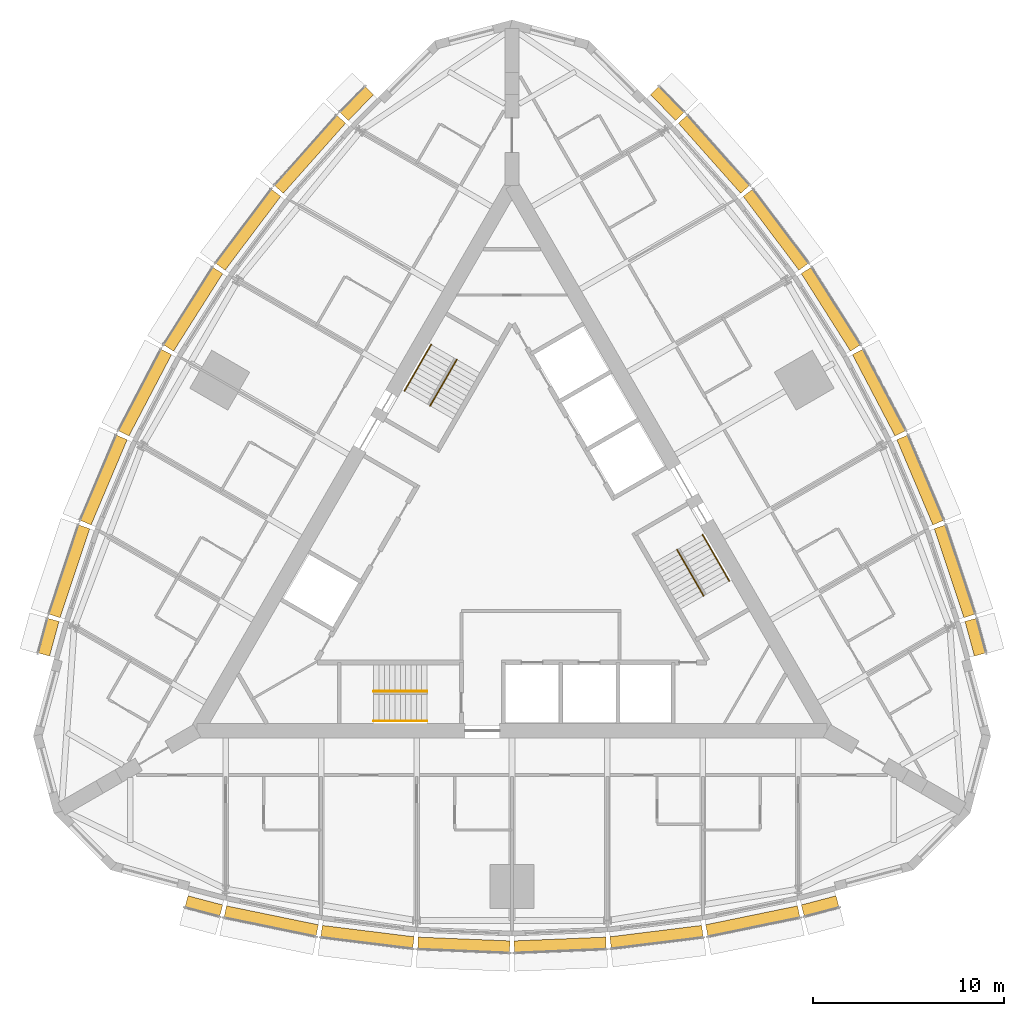
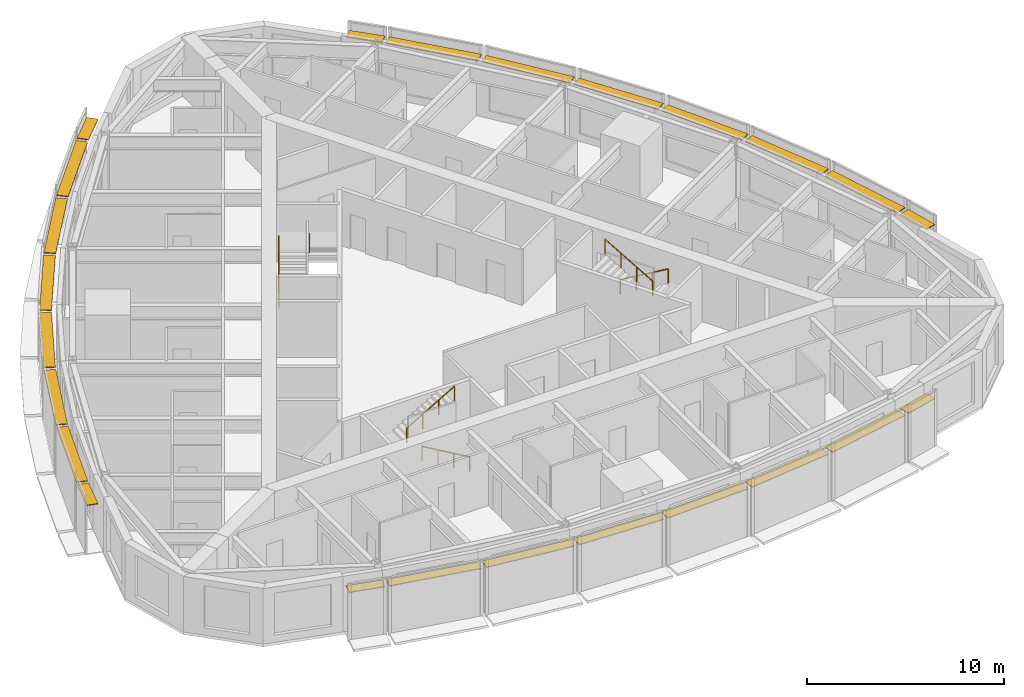
# One storey, part 15 of 15: 24 shading devices, 6 railings.
"""IFC4 building model written with IfcOpenShell, lengths in metres."""

from ifc_helpers import new_model, si_unit, direction, frame, origin, origin_2d, place, context, subcontext, project, spatial, rectangle, circle, extrude, material, type_object, element, save


model = new_model("IFC4")

# Units and contexts
model_context = context("Model", 3, precision=1e-05, world=origin(), true_north=direction((0.0, 1.0)))
body_context = subcontext(model_context, "Body", "Model", "MODEL_VIEW")
ifc_project = project(units=[si_unit("LENGTHUNIT", "METRE"), si_unit("AREAUNIT", "SQUARE_METRE"), si_unit("VOLUMEUNIT", "CUBIC_METRE"), si_unit("PLANEANGLEUNIT", "RADIAN"), si_unit("MASSUNIT", "GRAM", prefix="KILO")], contexts=[model_context])

# Site, building, storey
site_placement = place(None, origin())
site = spatial("IfcSite", under=ifc_project, at=site_placement, CompositionType="ELEMENT")
building_placement = place(site_placement, origin())
building = spatial("IfcBuilding", under=site, at=building_placement, Name="Trikona Tower", CompositionType="ELEMENT")
storey_placement = place(building_placement, frame((0.0, 0.0, 211.699951171875)))
storey = spatial("IfcBuildingStorey", under=building, at=storey_placement, Name="L56", CompositionType="ELEMENT", Elevation=211.699951171875)

# Shading devices
ifc_material_1 = material(Name="Aluminium louvre blade, pale anodised", Category="aluminium")
shading_device_type = type_object("IfcShadingDeviceType", Name="Cavity louvre 600", PredefinedType="USERDEFINED", material=ifc_material_1)
shading_device_1_placement = place(storey_placement, frame((-16.14404296875, -18.707763671875, 2.97509765625), z_axis=(0.0, 0.0, 1.0), x_axis=(0.966993038714, -0.254802792527, 0.0)))
element("IfcShadingDevice", 1, at=shading_device_1_placement, inside=storey, type_object=shading_device_type, Name="Cavity louvre L56-00", ObjectType="LOUVRE", PredefinedType="USERDEFINED", context=body_context, shape_type="SweptSolid", body=[
    extrude(rectangle(XDim=1.87841796875, YDim=0.60009765625, at=origin_2d()), origin(), (0.0, 0.0, 1.0), 0.050048828125),
])
shading_device_2_placement = place(storey_placement, frame((-12.614013671875, -19.492919921875, 2.97509765625), z_axis=(0.0, 0.0, 1.0), x_axis=(0.979457514864, -0.201650629992, 0.0)))
element("IfcShadingDevice", 2, at=shading_device_2_placement, inside=storey, type_object=shading_device_type, Name="Cavity louvre L56-01", ObjectType="LOUVRE", PredefinedType="USERDEFINED", context=body_context, shape_type="SweptSolid", body=[
    extrude(rectangle(XDim=4.914794921875, YDim=0.60009765625, at=origin_2d()), origin(), (0.0, 0.0, 1.0), 0.050048828125),
])
shading_device_3_placement = place(storey_placement, frame((-7.5693359375, -20.323974609375, 2.97509765625), z_axis=(0.0, 0.0, 1.0), x_axis=(0.992455266199, -0.122607277901, 0.0)))
element("IfcShadingDevice", 3, at=shading_device_3_placement, inside=storey, type_object=shading_device_type, Name="Cavity louvre L56-02", ObjectType="LOUVRE", PredefinedType="USERDEFINED", context=body_context, shape_type="SweptSolid", body=[
    extrude(rectangle(XDim=4.847900390625, YDim=0.60009765625, at=origin_2d()), origin(), (0.0, 0.0, 1.0), 0.050048828125),
])
for number, where, z_axis, x_axis, name in (
    (4, (-2.523193359375, -20.739501953125, 2.97509765625), (0.0, 0.0, 1.0), (0.999153186307, -0.041144991109, 0.0), "Cavity louvre L56-03"),
    (5, (2.523193359375, -20.739501953125, 2.97509765625), (0.0, 0.0, 1.0), (0.999153186307, 0.041144991109, 0.0), "Cavity louvre L56-04"),
):
    element("IfcShadingDevice", number, at=place(storey_placement, frame(where, z_axis=z_axis, x_axis=x_axis)), inside=storey, type_object=shading_device_type, Name=name, ObjectType="LOUVRE", PredefinedType="USERDEFINED", context=body_context, shape_type="SweptSolid", body=[
        extrude(rectangle(XDim=4.814208984375, YDim=0.60009765625, at=origin_2d()), origin(), (0.0, 0.0, 1.0), 0.050048828125),
    ])
shading_device_4_placement = place(storey_placement, frame((7.5693359375, -20.323974609375, 2.97509765625), z_axis=(0.0, 0.0, 1.0), x_axis=(0.992455266199, 0.122607277901, 0.0)))
element("IfcShadingDevice", 6, at=shading_device_4_placement, inside=storey, type_object=shading_device_type, Name="Cavity louvre L56-05", ObjectType="LOUVRE", PredefinedType="USERDEFINED", context=body_context, shape_type="SweptSolid", body=[
    extrude(rectangle(XDim=4.847900390625, YDim=0.60009765625, at=origin_2d()), origin(), (0.0, 0.0, 1.0), 0.050048828125),
])
shading_device_5_placement = place(storey_placement, frame((12.614013671875, -19.492919921875, 2.97509765625), z_axis=(0.0, 0.0, 1.0), x_axis=(0.979457514864, 0.201650629992, 0.0)))
element("IfcShadingDevice", 7, at=shading_device_5_placement, inside=storey, type_object=shading_device_type, Name="Cavity louvre L56-06", ObjectType="LOUVRE", PredefinedType="USERDEFINED", context=body_context, shape_type="SweptSolid", body=[
    extrude(rectangle(XDim=4.914794921875, YDim=0.60009765625, at=origin_2d()), origin(), (0.0, 0.0, 1.0), 0.050048828125),
])
for number, where, z_axis, x_axis, name in (
    (8, (16.14404296875, -18.707763671875, 2.97509765625), (0.0, 0.0, 1.0), (0.966993038714, 0.254802792527, 0.0), "Cavity louvre L56-07"),
    (9, (24.273193359375, -4.627197265625, 2.97509765625), (0.0, 0.0, 1.0), (-0.262822408229, 0.964844226667, 0.0), "Cavity louvre L56-12"),
):
    element("IfcShadingDevice", number, at=place(storey_placement, frame(where, z_axis=z_axis, x_axis=x_axis)), inside=storey, type_object=shading_device_type, Name=name, ObjectType="LOUVRE", PredefinedType="USERDEFINED", context=body_context, shape_type="SweptSolid", body=[
        extrude(rectangle(XDim=1.87841796875, YDim=0.60009765625, at=origin_2d()), origin(), (0.0, 0.0, 1.0), 0.050048828125),
    ])
shading_device_6_placement = place(storey_placement, frame((23.1884765625, -1.177490234375, 2.97509765625), z_axis=(0.0, 0.0, 1.0), x_axis=(-0.315092532747, 0.949060954737, 0.0)))
element("IfcShadingDevice", 10, at=shading_device_6_placement, inside=storey, type_object=shading_device_type, Name="Cavity louvre L56-13", ObjectType="LOUVRE", PredefinedType="USERDEFINED", context=body_context, shape_type="SweptSolid", body=[
    extrude(rectangle(XDim=4.914794921875, YDim=0.60009765625, at=origin_2d()), origin(), (0.0, 0.0, 1.0), 0.050048828125),
])
shading_device_7_placement = place(storey_placement, frame((21.385498046875, 3.606689453125, 2.97509765625), z_axis=(0.0, 0.0, 1.0), x_axis=(-0.390051437015, 0.920793069306, 0.0)))
element("IfcShadingDevice", 11, at=shading_device_7_placement, inside=storey, type_object=shading_device_type, Name="Cavity louvre L56-14", ObjectType="LOUVRE", PredefinedType="USERDEFINED", context=body_context, shape_type="SweptSolid", body=[
    extrude(rectangle(XDim=4.847900390625, YDim=0.60009765625, at=origin_2d()), origin(), (0.0, 0.0, 1.0), 0.050048828125),
])
for number, where, z_axis, x_axis, name in (
    (12, (19.222412109375, 8.1845703125, 2.97509765625), (0.0, 0.0, 1.0), (-0.463951716224, 0.885860488459, 0.0), "Cavity louvre L56-15"),
    (13, (16.69921875, 12.554931640625, 2.97509765625), (0.0, 0.0, 1.0), (-0.535204777743, 0.844722348397, 0.0), "Cavity louvre L56-16"),
):
    element("IfcShadingDevice", number, at=place(storey_placement, frame(where, z_axis=z_axis, x_axis=x_axis)), inside=storey, type_object=shading_device_type, Name=name, ObjectType="LOUVRE", PredefinedType="USERDEFINED", context=body_context, shape_type="SweptSolid", body=[
        extrude(rectangle(XDim=4.814208984375, YDim=0.60009765625, at=origin_2d()), origin(), (0.0, 0.0, 1.0), 0.050048828125),
    ])
shading_device_8_placement = place(storey_placement, frame((13.81640625, 16.717041015625, 2.97509765625), z_axis=(0.0, 0.0, 1.0), x_axis=(-0.602401684924, 0.798193090674, 0.0)))
element("IfcShadingDevice", 14, at=shading_device_8_placement, inside=storey, type_object=shading_device_type, Name="Cavity louvre L56-17", ObjectType="LOUVRE", PredefinedType="USERDEFINED", context=body_context, shape_type="SweptSolid", body=[
    extrude(rectangle(XDim=4.847900390625, YDim=0.60009765625, at=origin_2d()), origin(), (0.0, 0.0, 1.0), 0.050048828125),
])
shading_device_9_placement = place(storey_placement, frame((10.574462890625, 20.67041015625, 2.97509765625), z_axis=(0.0, 0.0, 1.0), x_axis=(-0.664367239113, 0.747406296196, 0.0)))
element("IfcShadingDevice", 15, at=shading_device_9_placement, inside=storey, type_object=shading_device_type, Name="Cavity louvre L56-18", ObjectType="LOUVRE", PredefinedType="USERDEFINED", context=body_context, shape_type="SweptSolid", body=[
    extrude(rectangle(XDim=4.914794921875, YDim=0.60009765625, at=origin_2d()), origin(), (0.0, 0.0, 1.0), 0.050048828125),
])
for number, where, z_axis, x_axis, name in (
    (16, (8.12939453125, 23.3349609375, 2.97509765625), (0.0, 0.0, 1.0), (-0.704151057285, 0.710050201412, 0.0), "Cavity louvre L56-19"),
    (17, (-8.12939453125, 23.3349609375, 2.97509765625), (0.0, 0.0, 1.0), (-0.704151057285, -0.710050201412, 0.0), "Cavity louvre L56-24"),
):
    element("IfcShadingDevice", number, at=place(storey_placement, frame(where, z_axis=z_axis, x_axis=x_axis)), inside=storey, type_object=shading_device_type, Name=name, ObjectType="LOUVRE", PredefinedType="USERDEFINED", context=body_context, shape_type="SweptSolid", body=[
        extrude(rectangle(XDim=1.87841796875, YDim=0.60009765625, at=origin_2d()), origin(), (0.0, 0.0, 1.0), 0.050048828125),
    ])
shading_device_10_placement = place(storey_placement, frame((-10.574462890625, 20.67041015625, 2.97509765625), z_axis=(0.0, 0.0, 1.0), x_axis=(-0.664367239113, -0.747406296196, 0.0)))
element("IfcShadingDevice", 18, at=shading_device_10_placement, inside=storey, type_object=shading_device_type, Name="Cavity louvre L56-25", ObjectType="LOUVRE", PredefinedType="USERDEFINED", context=body_context, shape_type="SweptSolid", body=[
    extrude(rectangle(XDim=4.914794921875, YDim=0.60009765625, at=origin_2d()), origin(), (0.0, 0.0, 1.0), 0.050048828125),
])
shading_device_11_placement = place(storey_placement, frame((-13.81640625, 16.717041015625, 2.97509765625), z_axis=(0.0, 0.0, 1.0), x_axis=(-0.602401684924, -0.798193090674, 0.0)))
element("IfcShadingDevice", 19, at=shading_device_11_placement, inside=storey, type_object=shading_device_type, Name="Cavity louvre L56-26", ObjectType="LOUVRE", PredefinedType="USERDEFINED", context=body_context, shape_type="SweptSolid", body=[
    extrude(rectangle(XDim=4.847900390625, YDim=0.60009765625, at=origin_2d()), origin(), (0.0, 0.0, 1.0), 0.050048828125),
])
for number, where, z_axis, x_axis, name in (
    (20, (-16.69921875, 12.554931640625, 2.97509765625), (0.0, 0.0, 1.0), (-0.535204777743, -0.844722348397, 0.0), "Cavity louvre L56-27"),
    (21, (-19.222412109375, 8.1845703125, 2.97509765625), (0.0, 0.0, 1.0), (-0.463951716224, -0.885860488459, 0.0), "Cavity louvre L56-28"),
):
    element("IfcShadingDevice", number, at=place(storey_placement, frame(where, z_axis=z_axis, x_axis=x_axis)), inside=storey, type_object=shading_device_type, Name=name, ObjectType="LOUVRE", PredefinedType="USERDEFINED", context=body_context, shape_type="SweptSolid", body=[
        extrude(rectangle(XDim=4.814208984375, YDim=0.60009765625, at=origin_2d()), origin(), (0.0, 0.0, 1.0), 0.050048828125),
    ])
shading_device_12_placement = place(storey_placement, frame((-21.385498046875, 3.606689453125, 2.97509765625), z_axis=(0.0, 0.0, 1.0), x_axis=(-0.390051437015, -0.920793069306, 0.0)))
element("IfcShadingDevice", 22, at=shading_device_12_placement, inside=storey, type_object=shading_device_type, Name="Cavity louvre L56-29", ObjectType="LOUVRE", PredefinedType="USERDEFINED", context=body_context, shape_type="SweptSolid", body=[
    extrude(rectangle(XDim=4.847900390625, YDim=0.60009765625, at=origin_2d()), origin(), (0.0, 0.0, 1.0), 0.050048828125),
])
shading_device_13_placement = place(storey_placement, frame((-23.1884765625, -1.177490234375, 2.97509765625), z_axis=(0.0, 0.0, 1.0), x_axis=(-0.315092532747, -0.949060954737, 0.0)))
element("IfcShadingDevice", 23, at=shading_device_13_placement, inside=storey, type_object=shading_device_type, Name="Cavity louvre L56-30", ObjectType="LOUVRE", PredefinedType="USERDEFINED", context=body_context, shape_type="SweptSolid", body=[
    extrude(rectangle(XDim=4.914794921875, YDim=0.60009765625, at=origin_2d()), origin(), (0.0, 0.0, 1.0), 0.050048828125),
])
shading_device_14_placement = place(storey_placement, frame((-24.273193359375, -4.627197265625, 2.97509765625), z_axis=(0.0, 0.0, 1.0), x_axis=(-0.262822408229, -0.964844226667, 0.0)))
element("IfcShadingDevice", 24, at=shading_device_14_placement, inside=storey, type_object=shading_device_type, Name="Cavity louvre L56-31", ObjectType="LOUVRE", PredefinedType="USERDEFINED", context=body_context, shape_type="SweptSolid", body=[
    extrude(rectangle(XDim=1.87841796875, YDim=0.60009765625, at=origin_2d()), origin(), (0.0, 0.0, 1.0), 0.050048828125),
])

# Railings
ifc_material_2 = material(Name="Stainless steel handrail", Category="steel")
railing_type = type_object("IfcRailingType", Name="Stair handrail", PredefinedType="HANDRAIL", material=ifc_material_2)
railing_1_placement = place(storey_placement, frame((-4.449951171875, -9.016357421875, 0.16357421875)))
element("IfcRailing", 25, at=railing_1_placement, inside=storey, type_object=railing_type, Name="Stair handrail A L56 1", PredefinedType="HANDRAIL", context=body_context, shape_type="SweptSolid", body=[
    extrude(circle(Radius=0.02392578125, at=origin_2d()), frame((0.0, 0.0, 0.8759765625), z_axis=(-0.863360870873, 0.0, 0.504586966384), x_axis=(0.0, -1.0, 0.0)), (0.0, 0.0, 1.0), 3.2431640625),
    extrude(circle(Radius=0.02099609375, at=origin_2d()), origin(), (0.0, 0.0, 1.0), 0.851806640625),
    extrude(circle(Radius=0.02099609375, at=origin_2d()), frame((-0.933349609375, 0.0, 0.54541015625)), (0.0, 0.0, 1.0), 0.851806640625),
    extrude(circle(Radius=0.02099609375, at=origin_2d()), frame((-1.86669921875, 0.0, 1.091064453125)), (0.0, 0.0, 1.0), 0.851806640625),
    extrude(circle(Radius=0.02099609375, at=origin_2d()), frame((-2.800048828125, 0.0, 1.636474609375)), (0.0, 0.0, 1.0), 0.851806640625),
])
railing_2_placement = place(storey_placement, frame((-7.25, -7.46630859375, 1.963623046875)))
element("IfcRailing", 26, at=railing_2_placement, inside=storey, type_object=railing_type, Name="Stair handrail A L56 2", PredefinedType="HANDRAIL", context=body_context, shape_type="SweptSolid", body=[
    extrude(circle(Radius=0.02392578125, at=origin_2d()), frame((0.0, 0.0, 0.8759765625), z_axis=(0.863360870873, 0.0, 0.504586966384), x_axis=(0.0, 1.0, 0.0)), (0.0, 0.0, 1.0), 3.2431640625),
    extrude(circle(Radius=0.02099609375, at=origin_2d()), origin(), (0.0, 0.0, 1.0), 0.851806640625),
    extrude(circle(Radius=0.02099609375, at=origin_2d()), frame((0.933349609375, 0.0, 0.54541015625)), (0.0, 0.0, 1.0), 0.851806640625),
    extrude(circle(Radius=0.02099609375, at=origin_2d()), frame((1.86669921875, 0.0, 1.091064453125)), (0.0, 0.0, 1.0), 0.851806640625),
    extrude(circle(Radius=0.02099609375, at=origin_2d()), frame((2.800048828125, 0.0, 1.636474609375)), (0.0, 0.0, 1.0), 0.851806640625),
])
railing_3_placement = place(storey_placement, frame((9.9833984375, 0.740966796875, 0.16357421875)))
element("IfcRailing", 27, at=railing_3_placement, inside=storey, type_object=railing_type, Name="Stair handrail B L56 1", PredefinedType="HANDRAIL", context=body_context, shape_type="SweptSolid", body=[
    extrude(circle(Radius=0.02392578125, at=origin_2d()), frame((0.0, 0.0, 0.8759765625), z_axis=(0.431636334334, -0.747723004699, 0.504579412111), x_axis=(0.866056369097, 0.49994636267, 0.0)), (0.0, 0.0, 1.0), 3.2431640625),
    extrude(circle(Radius=0.02099609375, at=origin_2d()), origin(), (0.0, 0.0, 1.0), 0.851806640625),
    extrude(circle(Radius=0.02099609375, at=origin_2d()), frame((0.466552734375, -0.808349609375, 0.54541015625)), (0.0, 0.0, 1.0), 0.851806640625),
    extrude(circle(Radius=0.02099609375, at=origin_2d()), frame((0.933349609375, -1.61669921875, 1.091064453125)), (0.0, 0.0, 1.0), 0.851806640625),
    extrude(circle(Radius=0.02099609375, at=origin_2d()), frame((1.39990234375, -2.425048828125, 1.636474609375)), (0.0, 0.0, 1.0), 0.851806640625),
])
railing_4_placement = place(storey_placement, frame((10.041015625, -2.458984375, 1.963623046875)))
element("IfcRailing", 28, at=railing_4_placement, inside=storey, type_object=railing_type, Name="Stair handrail B L56 2", PredefinedType="HANDRAIL", context=body_context, shape_type="SweptSolid", body=[
    extrude(circle(Radius=0.02392578125, at=origin_2d()), frame((0.0, 0.0, 0.8759765625), z_axis=(-0.431636334334, 0.747723004699, 0.504579412111), x_axis=(-0.866056369097, -0.49994636267, 0.0)), (0.0, 0.0, 1.0), 3.2431640625),
    extrude(circle(Radius=0.02099609375, at=origin_2d()), origin(), (0.0, 0.0, 1.0), 0.851806640625),
    extrude(circle(Radius=0.02099609375, at=origin_2d()), frame((-0.466552734375, 0.808349609375, 0.54541015625)), (0.0, 0.0, 1.0), 0.851806640625),
    extrude(circle(Radius=0.02099609375, at=origin_2d()), frame((-0.933349609375, 1.61669921875, 1.091064453125)), (0.0, 0.0, 1.0), 0.851806640625),
    extrude(circle(Radius=0.02099609375, at=origin_2d()), frame((-1.39990234375, 2.425048828125, 1.636474609375)), (0.0, 0.0, 1.0), 0.851806640625),
])
railing_5_placement = place(storey_placement, frame((-5.63330078125, 8.275390625, 0.16357421875)))
element("IfcRailing", 29, at=railing_5_placement, inside=storey, type_object=railing_type, Name="Stair handrail C L56 1", PredefinedType="HANDRAIL", context=body_context, shape_type="SweptSolid", body=[
    extrude(circle(Radius=0.02392578125, at=origin_2d()), frame((0.0, 0.0, 0.8759765625), z_axis=(0.431660630283, 0.747689811644, 0.504607813879), x_axis=(-0.866034573852, 0.49998411664, 0.0)), (0.0, 0.0, 1.0), 3.2431640625),
    extrude(circle(Radius=0.02099609375, at=origin_2d()), origin(), (0.0, 0.0, 1.0), 0.851806640625),
    extrude(circle(Radius=0.02099609375, at=origin_2d()), frame((0.466552734375, 0.808349609375, 0.54541015625)), (0.0, 0.0, 1.0), 0.851806640625),
    extrude(circle(Radius=0.02099609375, at=origin_2d()), frame((0.933349609375, 1.616455078125, 1.091064453125)), (0.0, 0.0, 1.0), 0.851806640625),
    extrude(circle(Radius=0.02099609375, at=origin_2d()), frame((1.39990234375, 2.4248046875, 1.636474609375)), (0.0, 0.0, 1.0), 0.851806640625),
])
railing_6_placement = place(storey_placement, frame((-2.89111328125, 9.92529296875, 1.963623046875)))
element("IfcRailing", 30, at=railing_6_placement, inside=storey, type_object=railing_type, Name="Stair handrail C L56 2", PredefinedType="HANDRAIL", context=body_context, shape_type="SweptSolid", body=[
    extrude(circle(Radius=0.02392578125, at=origin_2d()), frame((0.0, 0.0, 0.8759765625), z_axis=(-0.431636334334, -0.747723004699, 0.504579412111), x_axis=(0.866056369097, -0.49994636267, 0.0)), (0.0, 0.0, 1.0), 3.2431640625),
    extrude(circle(Radius=0.02099609375, at=origin_2d()), origin(), (0.0, 0.0, 1.0), 0.851806640625),
    extrude(circle(Radius=0.02099609375, at=origin_2d()), frame((-0.466552734375, -0.808349609375, 0.54541015625)), (0.0, 0.0, 1.0), 0.851806640625),
    extrude(circle(Radius=0.02099609375, at=origin_2d()), frame((-0.933349609375, -1.61669921875, 1.091064453125)), (0.0, 0.0, 1.0), 0.851806640625),
    extrude(circle(Radius=0.02099609375, at=origin_2d()), frame((-1.39990234375, -2.425048828125, 1.636474609375)), (0.0, 0.0, 1.0), 0.851806640625),
])

save(model, "model.ifc")
